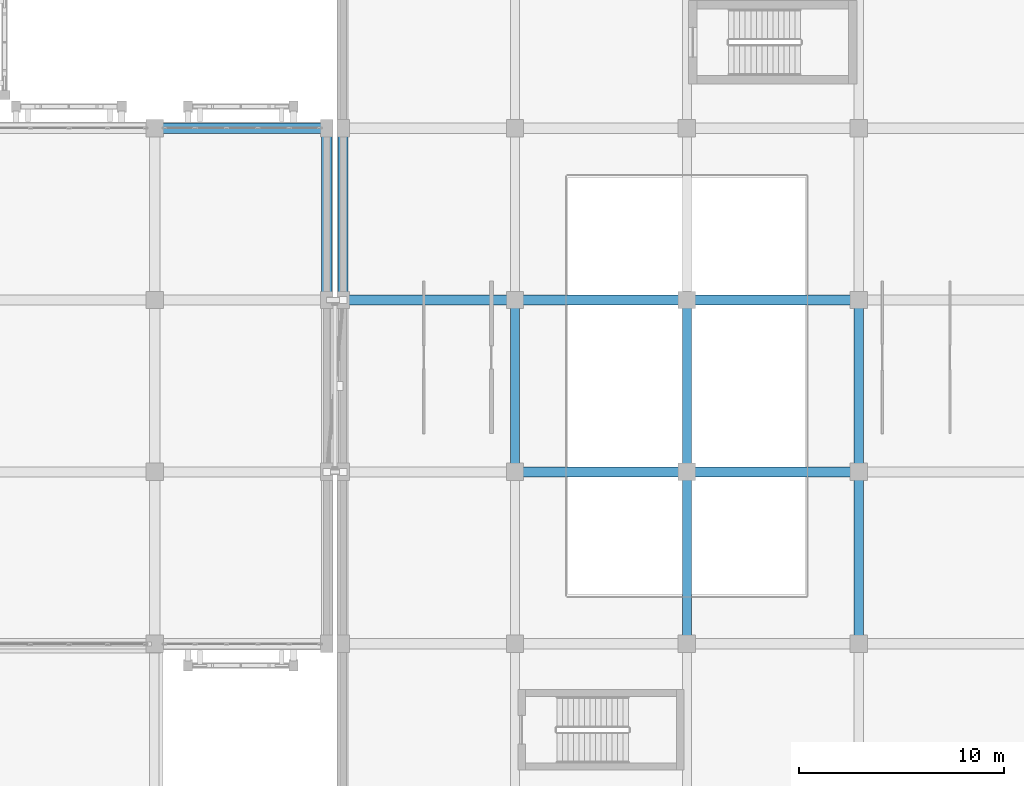
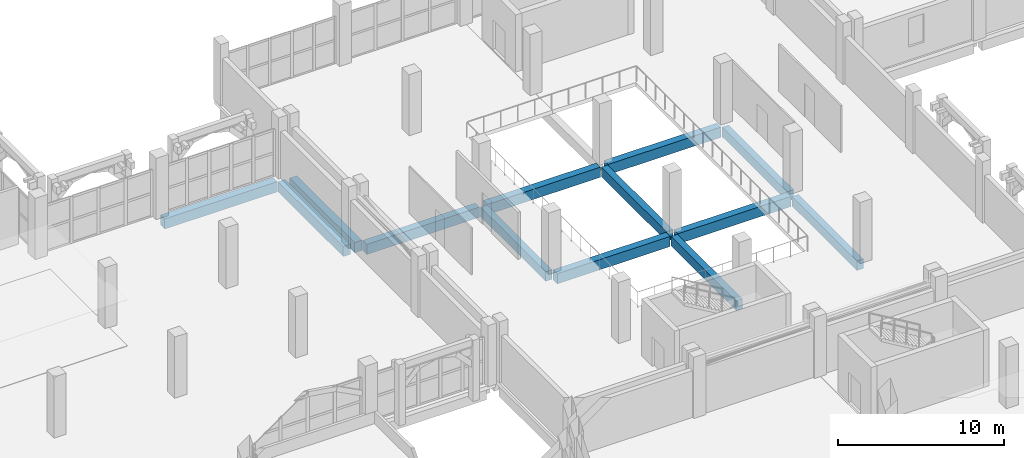
# One storey, part 65 of 137: 13 beams.
"""IFC4 building model written with IfcOpenShell, lengths in metres."""

from ifc_helpers import new_model, si_unit, direction, frame, origin, origin_2d, place, context, subcontext, project, spatial, rectangle, extrude, material, material_profile, profile_set, type_object, element, save


model = new_model("IFC4")

# Units and contexts
model_context = context("Model", 3, precision=1e-05, world=origin(), true_north=direction((0.0, 1.0)))
body_context = subcontext(model_context, "Body", "Model", "MODEL_VIEW")
ifc_project = project(units=[si_unit("LENGTHUNIT", "METRE"), si_unit("AREAUNIT", "SQUARE_METRE"), si_unit("VOLUMEUNIT", "CUBIC_METRE"), si_unit("PLANEANGLEUNIT", "RADIAN"), si_unit("MASSUNIT", "GRAM", prefix="KILO")], contexts=[model_context])

# Site, building, storey
site_placement = place(None, origin())
site = spatial("IfcSite", under=ifc_project, at=site_placement, CompositionType="ELEMENT")
building_placement = place(site_placement, origin())
building = spatial("IfcBuilding", under=site, at=building_placement, Name="Xazarin Passage Department Store", CompositionType="ELEMENT")
storey_placement = place(building_placement, frame((0.0, 0.0, 5.39990234375)))
storey = spatial("IfcBuildingStorey", under=building, at=storey_placement, Name="L01", CompositionType="ELEMENT", Elevation=5.39990234375)

# Beams
ifc_material = material(Name="Concrete C35/45", Category="concrete")
ifc_material_profile_1 = material_profile(ifc_material, rectangle(XDim=0.449951171875, YDim=0.699951171875, at=origin_2d()), Name="RC 450x700")
ifc_profile_set_1 = profile_set([ifc_material_profile_1], Name="Concrete C35/45")
beam_type_1 = type_object("IfcBeamType", Name="STR-BM-G450x700", PredefinedType="BEAM", material=ifc_profile_set_1)
for number, where, z_axis, x_axis, name in (
    (1, (76.39990234375, 68.280029296875, -0.64990234375), (0.0, 1.0, 0.0), (-1.0, 0.0, 0.0), "L01 Grid Beam 11/K-L"),
    (2, (84.800048828125, 59.8798828125, -0.64990234375), (0.0, 1.0, 0.0), (-1.0, 0.0, 0.0), "L01 Grid Beam 12/J-K"),
    (3, (84.800048828125, 68.280029296875, -0.64990234375), (0.0, 1.0, 0.0), (-1.0, 0.0, 0.0), "L01 Grid Beam 12/K-L"),
    (4, (93.199951171875, 59.8798828125, -0.64990234375), (0.0, 1.0, 0.0), (-1.0, 0.0, 0.0), "L01 Grid Beam 13/J-K"),
    (5, (93.199951171875, 68.280029296875, -0.64990234375), (0.0, 1.0, 0.0), (-1.0, 0.0, 0.0), "L01 Grid Beam 13/K-L"),
):
    element("IfcBeam", number, at=place(storey_placement, frame(where, z_axis=z_axis, x_axis=x_axis)), inside=storey, type_object=beam_type_1, Name=name, PredefinedType="BEAM", context=body_context, shape_type="SweptSolid", body=[
        extrude(rectangle(XDim=0.449951171875, YDim=0.699951171875, at=origin_2d()), origin(), (0.0, 0.0, 1.0), 7.840087890625),
    ])
ifc_material_profile_2 = material_profile(ifc_material, rectangle(XDim=0.5, YDim=0.75, at=origin_2d()), Name="RC 500x750")
ifc_profile_set_2 = profile_set([ifc_material_profile_2], Name="Concrete C35/45")
beam_type_2 = type_object("IfcBeamType", Name="STR-BM-SP500x750", PredefinedType="SPANDREL", material=ifc_profile_set_2)
beam_1_placement = place(storey_placement, frame((59.080078125, 84.800048828125, -0.6748046875), z_axis=(1.0, 0.0, 0.0), x_axis=(0.0, 1.0, 0.0)))
element("IfcBeam", 6, at=beam_1_placement, inside=storey, type_object=beam_type_2, Name="L01 Grid Beam M/8-9", PredefinedType="SPANDREL", context=body_context, shape_type="SweptSolid", body=[
    extrude(rectangle(XDim=0.5, YDim=0.75, at=origin_2d()), origin(), (0.0, 0.0, 1.0), 7.83984375),
])
for number, where, z_axis, x_axis, name in (
    (7, (67.199951171875, 76.679931640625, -0.6748046875), (0.0, 1.0, 0.0), (-1.0, 0.0, 0.0), "L01 Grid Beam 9/L-M"),
    (8, (76.679931640625, 68.0, -0.6748046875), (1.0, 0.0, 0.0), (0.0, 1.0, 0.0), "L01 Grid Beam K/11-12"),
):
    element("IfcBeam", number, at=place(storey_placement, frame(where, z_axis=z_axis, x_axis=x_axis)), inside=storey, type_object=beam_type_2, Name=name, PredefinedType="SPANDREL", context=body_context, shape_type="SweptSolid", body=[
        extrude(rectangle(XDim=0.5, YDim=0.75, at=origin_2d()), origin(), (0.0, 0.0, 1.0), 7.840087890625),
    ])
beam_2_placement = place(storey_placement, frame((85.080078125, 68.0, -0.6748046875), z_axis=(1.0, 0.0, 0.0), x_axis=(0.0, 1.0, 0.0)))
element("IfcBeam", 9, at=beam_2_placement, inside=storey, type_object=beam_type_2, Name="L01 Grid Beam K/12-13", PredefinedType="SPANDREL", context=body_context, shape_type="SweptSolid", body=[
    extrude(rectangle(XDim=0.5, YDim=0.75, at=origin_2d()), origin(), (0.0, 0.0, 1.0), 7.83984375),
])
for number, where, z_axis, x_axis, name in (
    (10, (68.280029296875, 76.39990234375, -0.6748046875), (1.0, 0.0, 0.0), (0.0, 1.0, 0.0), "L01 Grid Beam L/10-11"),
    (11, (76.679931640625, 76.39990234375, -0.6748046875), (1.0, 0.0, 0.0), (0.0, 1.0, 0.0), "L01 Grid Beam L/11-12"),
):
    element("IfcBeam", number, at=place(storey_placement, frame(where, z_axis=z_axis, x_axis=x_axis)), inside=storey, type_object=beam_type_2, Name=name, PredefinedType="SPANDREL", context=body_context, shape_type="SweptSolid", body=[
        extrude(rectangle(XDim=0.5, YDim=0.75, at=origin_2d()), origin(), (0.0, 0.0, 1.0), 7.840087890625),
    ])
beam_3_placement = place(storey_placement, frame((85.080078125, 76.39990234375, -0.6748046875), z_axis=(1.0, 0.0, 0.0), x_axis=(0.0, 1.0, 0.0)))
element("IfcBeam", 12, at=beam_3_placement, inside=storey, type_object=beam_type_2, Name="L01 Grid Beam L/12-13", PredefinedType="SPANDREL", context=body_context, shape_type="SweptSolid", body=[
    extrude(rectangle(XDim=0.5, YDim=0.75, at=origin_2d()), origin(), (0.0, 0.0, 1.0), 7.83984375),
])
beam_4_placement = place(storey_placement, frame((68.0, 76.679931640625, -0.6748046875), z_axis=(0.0, 1.0, 0.0), x_axis=(-1.0, 0.0, 0.0)))
element("IfcBeam", 13, at=beam_4_placement, inside=storey, type_object=beam_type_2, Name="L01 Grid Beam 10/L-M", PredefinedType="SPANDREL", context=body_context, shape_type="SweptSolid", body=[
    extrude(rectangle(XDim=0.5, YDim=0.75, at=origin_2d()), origin(), (0.0, 0.0, 1.0), 7.840087890625),
])

save(model, "model.ifc")
